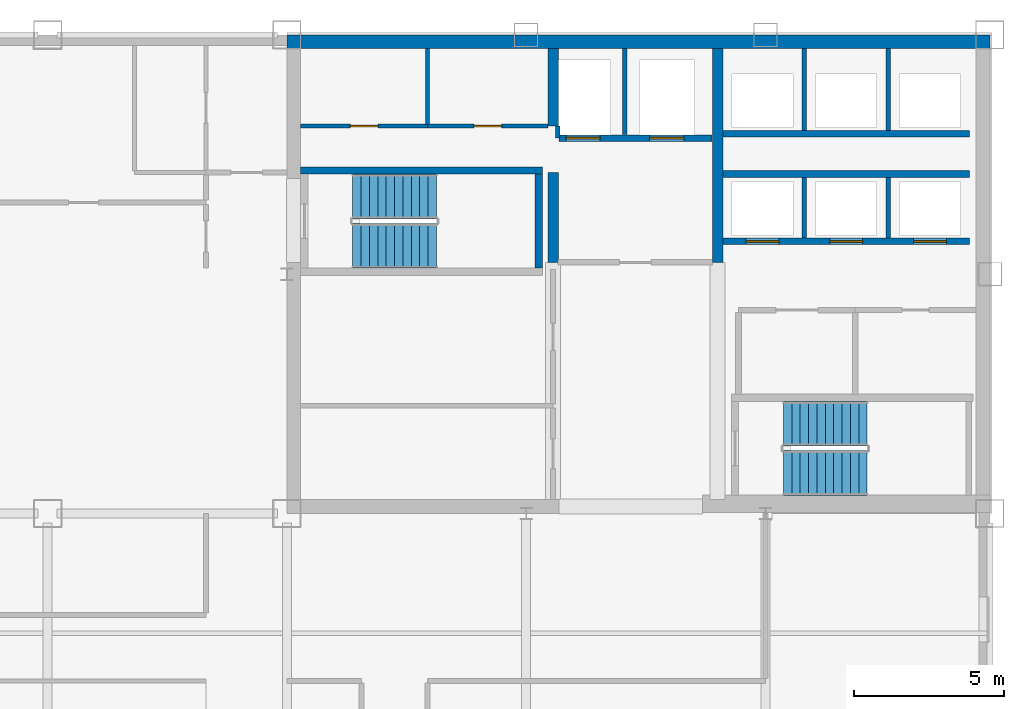
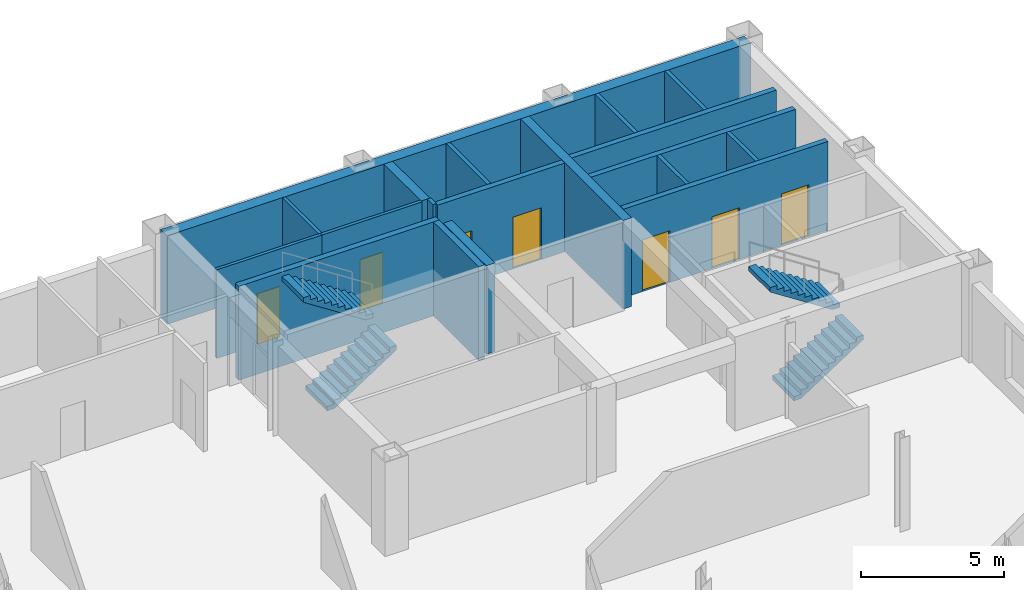
# One storey, part 6 of 10: 19 walls, 7 doors, 4 stair flights, 7 openings, 2 elements without a shape of their own.
"""IFC4 building model written with IfcOpenShell, lengths in metres."""

from ifc_helpers import new_model, si_unit, direction, frame, frame_2d, origin, place, context, subcontext, project, spatial, polyline, rectangle, outline, extrude, material, layer, layer_set, type_object, element, fill, aggregate, save


model = new_model("IFC4")

# Units and contexts
model_context = context("Model", 3, precision=1e-05, world=origin(), true_north=direction((0.0, 1.0)))
body_context = subcontext(model_context, "Body", "Model", "MODEL_VIEW")
ifc_project = project(units=[si_unit("LENGTHUNIT", "METRE"), si_unit("AREAUNIT", "SQUARE_METRE"), si_unit("VOLUMEUNIT", "CUBIC_METRE"), si_unit("PLANEANGLEUNIT", "RADIAN"), si_unit("MASSUNIT", "GRAM", prefix="KILO")], contexts=[model_context])

# Site, building, storey
site_placement = place(None, origin())
site = spatial("IfcSite", under=ifc_project, at=site_placement, CompositionType="ELEMENT")
building_placement = place(site_placement, origin())
building = spatial("IfcBuilding", under=site, at=building_placement, Name="Qianrong Seaharbour Tower", CompositionType="ELEMENT")
storey_placement = place(building_placement, frame((0.0, 0.0, 233.800048828125)))
storey = spatial("IfcBuildingStorey", under=building, at=storey_placement, Name="L56", CompositionType="ELEMENT", Elevation=233.800048828125)

# Walls
ifc_material_1 = material(Name="Concrete C60/75", Category="concrete")
ifc_layer_1 = layer(ifc_material_1, 0.4599609375)
ifc_layer_set_1 = layer_set([ifc_layer_1], Name="Concrete C60/75")
wall_type_1 = type_object("IfcWallType", Name="WALL-CORE-460", PredefinedType="SHEAR", material=ifc_layer_set_1)
wall_1_placement = place(storey_placement, frame((40.5, 51.77001953125, 0.0), z_axis=(0.0, 0.0, 1.0), x_axis=(1.0, 0.0, 0.0)))
element("IfcWall", 1, at=wall_1_placement, inside=storey, type_object=wall_type_1, Name="L56 North Core Shear Wall", PredefinedType="SHEAR", context=body_context, shape_type="SweptSolid", body=[
    extrude(rectangle(XDim=23.5, YDim=0.4599609375, at=frame_2d((11.75, 0.0))), origin(), (0.0, 0.0, 1.0), 3.77490234375),
])
ifc_material_2 = material(Name="Concrete C50/60", Category="concrete")
ifc_layer_2 = layer(ifc_material_2, 0.35009765625)
ifc_layer_set_2 = layer_set([ifc_layer_2], Name="Concrete C50/60")
wall_type_2 = type_object("IfcWallType", Name="WALL-CORE-INT-350", PredefinedType="SHEAR", material=ifc_layer_set_2)
wall_2_placement = place(storey_placement, frame((49.39990234375, 44.39990234375, 0.0), z_axis=(0.0, 0.0, 1.0), x_axis=(0.0, 1.0, 0.0)))
element("IfcWall", 2, at=wall_2_placement, inside=storey, type_object=wall_type_2, Name="L56 Internal Core Shear Wall IW1N1", PredefinedType="SHEAR", context=body_context, shape_type="SweptSolid", body=[
    extrude(rectangle(XDim=3.0, YDim=0.35009765625, at=frame_2d((1.5, 0.0))), origin(), (0.0, 0.0, 1.0), 3.77490234375),
])
wall_3_placement = place(storey_placement, frame((49.39990234375, 48.949951171875, 0.0), z_axis=(0.0, 0.0, 1.0), x_axis=(0.0, 1.0, 0.0)))
element("IfcWall", 3, at=wall_3_placement, inside=storey, type_object=wall_type_2, Name="L56 Internal Core Shear Wall IW1N2", PredefinedType="SHEAR", context=body_context, shape_type="SweptSolid", body=[
    extrude(rectangle(XDim=2.590087890625, YDim=0.35009765625, at=frame_2d((1.294921875, 0.0))), origin(), (0.0, 0.0, 1.0), 3.77490234375),
])
wall_4_placement = place(storey_placement, frame((54.89990234375, 44.39990234375, 0.0), z_axis=(0.0, 0.0, 1.0), x_axis=(0.0, 1.0, 0.0)))
element("IfcWall", 4, at=wall_4_placement, inside=storey, type_object=wall_type_2, Name="L56 Internal Core Shear Wall IW2N", PredefinedType="SHEAR", context=body_context, shape_type="SweptSolid", body=[
    extrude(rectangle(XDim=7.14013671875, YDim=0.35009765625, at=frame_2d((3.570068359375, 0.0))), origin(), (0.0, 0.0, 1.0), 3.77490234375),
])
ifc_material_3 = material(Name="Fire-rated gypsum board on steel studs", Category="steel")
ifc_layer_3 = layer(ifc_material_3, 0.14990234375)
ifc_layer_set_3 = layer_set([ifc_layer_3], Name="Fire-rated gypsum board on steel studs")
wall_type_3 = type_object("IfcWallType", Name="WALL-SHAFT-DIV-150", PredefinedType="PARTITIONING", material=ifc_layer_set_3)
wall_5_placement = place(storey_placement, frame((51.800048828125, 48.669921875, 0.0), z_axis=(0.0, 0.0, 1.0), x_axis=(0.0, 1.0, 0.0)))
element("IfcWall", 5, at=wall_5_placement, inside=storey, type_object=wall_type_3, Name="L56 Firefighting Lift Shaft Divider Wall", PredefinedType="PARTITIONING", context=body_context, shape_type="SweptSolid", body=[
    extrude(rectangle(XDim=2.8701171875, YDim=0.14990234375, at=frame_2d((1.43505859375, 0.0))), origin(), (0.0, 0.0, 1.0), 3.77490234375),
])
wall_6_placement = place(storey_placement, frame((49.550048828125, 48.550048828125, 0.0), z_axis=(0.0, 0.0, 1.0), x_axis=(0.0, 1.0, 0.0)))
element("IfcWall", 6, at=wall_6_placement, inside=storey, type_object=wall_type_3, Name="L56 Firefighting Lift Shaft West Return Wall", PredefinedType="PARTITIONING", context=body_context, shape_type="SweptSolid", body=[
    extrude(rectangle(XDim=0.39990234375, YDim=0.14990234375, at=frame_2d((0.199951171875, 0.0))), origin(), (0.0, 0.0, 1.0), 3.77490234375),
])
for number, where, z_axis, x_axis, name in (
    (7, (57.800048828125, 45.2099609375, 0.0), (0.0, 0.0, 1.0), (0.0, 1.0, 0.0), "L56 P3 Lift Hoistway Divider 2"),
    (8, (60.60009765625, 45.2099609375, 0.0), (0.0, 0.0, 1.0), (0.0, 1.0, 0.0), "L56 P3 Lift Hoistway Divider 3"),
):
    element("IfcWall", number, at=place(storey_placement, frame(where, z_axis=z_axis, x_axis=x_axis)), inside=storey, type_object=wall_type_3, Name=name, PredefinedType="PARTITIONING", context=body_context, shape_type="SweptSolid", body=[
        extrude(rectangle(XDim=2.030029296875, YDim=0.14990234375, at=frame_2d((1.01513671875, 0.0))), origin(), (0.0, 0.0, 1.0), 3.77490234375),
    ])
for number, where, z_axis, x_axis, name in (
    (9, (57.800048828125, 48.81005859375, 0.0), (0.0, 0.0, 1.0), (0.0, 1.0, 0.0), "L56 P4 Lift Hoistway Divider 2"),
    (10, (60.60009765625, 48.81005859375, 0.0), (0.0, 0.0, 1.0), (0.0, 1.0, 0.0), "L56 P4 Lift Hoistway Divider 3"),
):
    element("IfcWall", number, at=place(storey_placement, frame(where, z_axis=z_axis, x_axis=x_axis)), inside=storey, type_object=wall_type_3, Name=name, PredefinedType="PARTITIONING", context=body_context, shape_type="SweptSolid", body=[
        extrude(rectangle(XDim=2.72998046875, YDim=0.14990234375, at=frame_2d((1.364990234375, 0.0))), origin(), (0.0, 0.0, 1.0), 3.77490234375),
    ])

# Wall, openings, doors
ifc_layer_4 = layer(ifc_material_3, 0.219970703125)
ifc_layer_set_4 = layer_set([ifc_layer_4], Name="Fire-rated gypsum board on steel studs")
wall_type_4 = type_object("IfcWallType", Name="WALL-SHAFT-GYP220", PredefinedType="PARTITIONING", material=ifc_layer_set_4)
wall_7_placement = place(storey_placement, frame((54.7099609375, 48.550048828125, 0.0), z_axis=(0.0, 0.0, 1.0), x_axis=(-1.0, 0.0, 0.0)))
wall_7 = element("IfcWall", 11, at=wall_7_placement, inside=storey, type_object=wall_type_4, Name="L56 Firefighting Lift Shaft Front Wall", PredefinedType="PARTITIONING", context=body_context, shape_type="SweptSolid", body=[
    extrude(rectangle(XDim=5.119873046875, YDim=0.219970703125, at=frame_2d((2.56005859375, 0.0))), origin(), (0.0, 0.0, 1.0), 3.77490234375),
])
opening_1_placement = place(wall_7_placement, frame((3.735107421875, 0.0, 0.0)))
opening_1 = element("IfcOpeningElement", 12, at=opening_1_placement, cuts=wall_7, Name="Opening LD-01", PredefinedType="OPENING", context=body_context, shape_type="SweptSolid", body=[
    extrude(rectangle(XDim=1.14990234375, YDim=2.199951171875, at=frame_2d((0.574951171875, 1.10009765625))), frame((0.0, 0.1201171875, 0.0), z_axis=(0.0, -1.0, 0.0), x_axis=(1.0, 0.0, 0.0)), (0.0, 0.0, 1.0), 0.239990234375),
])
opening_2_placement = place(wall_7_placement, frame((0.93505859375, 0.0, 0.0)))
opening_2 = element("IfcOpeningElement", 13, at=opening_2_placement, cuts=wall_7, Name="Opening LD-01", PredefinedType="OPENING", context=body_context, shape_type="SweptSolid", body=[
    extrude(rectangle(XDim=1.14990234375, YDim=2.199951171875, at=frame_2d((0.574951171875, 1.10009765625))), frame((0.0, 0.1201171875, 0.0), z_axis=(0.0, -1.0, 0.0), x_axis=(1.0, 0.0, 0.0)), (0.0, 0.0, 1.0), 0.239990234375),
])
ifc_material_4 = material(Name="Stainless steel SUS316L bi-parting lift landing door", Category="steel")
door_type_1 = type_object("IfcDoorType", Name="DOOR-LIFT-FF-1150x2200", OperationType="DOUBLE_DOOR_SLIDING", PredefinedType="DOOR", material=ifc_material_4)
door_1_placement = place(opening_1_placement, origin())
door_1 = element("IfcDoor", 14, at=door_1_placement, inside=storey, type_object=door_type_1, Name="L56 FL-1 Firefighting Lift Landing Door", OperationType="DOUBLE_DOOR_SLIDING", OverallHeight=2.199951171875, OverallWidth=1.14990234375, PredefinedType="DOOR", context=body_context, shape_type="SweptSolid", body=[
    extrude(rectangle(XDim=1.14990234375, YDim=2.199951171875, at=frame_2d((0.574951171875, 1.10009765625))), frame((0.0, 0.02490234375, 0.0), z_axis=(0.0, -1.0, 0.0), x_axis=(1.0, 0.0, 0.0)), (0.0, 0.0, 1.0), 0.050048828125),
])
fill(opening_1, door_1)
door_2_placement = place(opening_2_placement, origin())
door_2 = element("IfcDoor", 15, at=door_2_placement, inside=storey, type_object=door_type_1, Name="L56 FL-2 Firefighting Lift Landing Door", OperationType="DOUBLE_DOOR_SLIDING", OverallHeight=2.199951171875, OverallWidth=1.14990234375, PredefinedType="DOOR", context=body_context, shape_type="SweptSolid", body=[
    extrude(rectangle(XDim=1.14990234375, YDim=2.199951171875, at=frame_2d((0.574951171875, 1.10009765625))), frame((0.0, 0.02490234375, 0.0), z_axis=(0.0, -1.0, 0.0), x_axis=(1.0, 0.0, 0.0)), (0.0, 0.0, 1.0), 0.050048828125),
])
fill(opening_2, door_2)

wall_8_placement = place(storey_placement, frame((63.320068359375, 45.10009765625, 0.0), z_axis=(0.0, 0.0, 1.0), x_axis=(-1.0, 0.0, 0.0)))
wall_8 = element("IfcWall", 16, at=wall_8_placement, inside=storey, type_object=wall_type_4, Name="L56 P3 Lift Hoistway Front Wall", PredefinedType="PARTITIONING", context=body_context, shape_type="SweptSolid", body=[
    extrude(rectangle(XDim=8.239990234375, YDim=0.219970703125, at=frame_2d((4.1201171875, 0.0))), origin(), (0.0, 0.0, 1.0), 3.77490234375),
])
opening_3_placement = place(wall_8_placement, frame((6.3701171875, 0.0, 0.0)))
opening_3 = element("IfcOpeningElement", 17, at=opening_3_placement, cuts=wall_8, Name="Opening LD-02", PredefinedType="OPENING", context=body_context, shape_type="SweptSolid", body=[
    extrude(rectangle(XDim=1.10009765625, YDim=2.199951171875, at=frame_2d((0.550048828125, 1.10009765625))), frame((0.0, 0.1201171875, 0.0), z_axis=(0.0, -1.0, 0.0), x_axis=(1.0, 0.0, 0.0)), (0.0, 0.0, 1.0), 0.239990234375),
])
opening_4_placement = place(wall_8_placement, frame((3.570068359375, 0.0, 0.0)))
opening_4 = element("IfcOpeningElement", 18, at=opening_4_placement, cuts=wall_8, Name="Opening LD-02", PredefinedType="OPENING", context=body_context, shape_type="SweptSolid", body=[
    extrude(rectangle(XDim=1.10009765625, YDim=2.199951171875, at=frame_2d((0.550048828125, 1.10009765625))), frame((0.0, 0.1201171875, 0.0), z_axis=(0.0, -1.0, 0.0), x_axis=(1.0, 0.0, 0.0)), (0.0, 0.0, 1.0), 0.239990234375),
])
opening_5_placement = place(wall_8_placement, frame((0.77001953125, 0.0, 0.0)))
opening_5 = element("IfcOpeningElement", 19, at=opening_5_placement, cuts=wall_8, Name="Opening LD-02", PredefinedType="OPENING", context=body_context, shape_type="SweptSolid", body=[
    extrude(rectangle(XDim=1.10009765625, YDim=2.199951171875, at=frame_2d((0.550048828125, 1.10009765625))), frame((0.0, 0.1201171875, 0.0), z_axis=(0.0, -1.0, 0.0), x_axis=(1.0, 0.0, 0.0)), (0.0, 0.0, 1.0), 0.239990234375),
])
door_type_2 = type_object("IfcDoorType", Name="DOOR-LIFT-PASS-1100x2200", OperationType="DOUBLE_DOOR_SLIDING", PredefinedType="DOOR", material=ifc_material_4)
door_3_placement = place(opening_3_placement, origin())
door_3 = element("IfcDoor", 20, at=door_3_placement, inside=storey, type_object=door_type_2, Name="L56 PL-3A Lift Landing Door", OperationType="DOUBLE_DOOR_SLIDING", OverallHeight=2.199951171875, OverallWidth=1.10009765625, PredefinedType="DOOR", context=body_context, shape_type="SweptSolid", body=[
    extrude(rectangle(XDim=1.10009765625, YDim=2.199951171875, at=frame_2d((0.550048828125, 1.10009765625))), frame((0.0, 0.02490234375, 0.0), z_axis=(0.0, -1.0, 0.0), x_axis=(1.0, 0.0, 0.0)), (0.0, 0.0, 1.0), 0.050048828125),
])
fill(opening_3, door_3)
door_4_placement = place(opening_4_placement, origin())
door_4 = element("IfcDoor", 21, at=door_4_placement, inside=storey, type_object=door_type_2, Name="L56 PL-3B Lift Landing Door", OperationType="DOUBLE_DOOR_SLIDING", OverallHeight=2.199951171875, OverallWidth=1.10009765625, PredefinedType="DOOR", context=body_context, shape_type="SweptSolid", body=[
    extrude(rectangle(XDim=1.10009765625, YDim=2.199951171875, at=frame_2d((0.550048828125, 1.10009765625))), frame((0.0, 0.02490234375, 0.0), z_axis=(0.0, -1.0, 0.0), x_axis=(1.0, 0.0, 0.0)), (0.0, 0.0, 1.0), 0.050048828125),
])
fill(opening_4, door_4)
door_5_placement = place(opening_5_placement, origin())
door_5 = element("IfcDoor", 22, at=door_5_placement, inside=storey, type_object=door_type_2, Name="L56 PL-3C Lift Landing Door", OperationType="DOUBLE_DOOR_SLIDING", OverallHeight=2.199951171875, OverallWidth=1.10009765625, PredefinedType="DOOR", context=body_context, shape_type="SweptSolid", body=[
    extrude(rectangle(XDim=1.10009765625, YDim=2.199951171875, at=frame_2d((0.550048828125, 1.10009765625))), frame((0.0, 0.02490234375, 0.0), z_axis=(0.0, -1.0, 0.0), x_axis=(1.0, 0.0, 0.0)), (0.0, 0.0, 1.0), 0.050048828125),
])
fill(opening_5, door_5)

# Walls
for number, where, z_axis, x_axis, name in (
    (23, (55.080078125, 47.35009765625, 0.0), (0.0, 0.0, 1.0), (1.0, 0.0, 0.0), "L56 P3 Lift Hoistway Back Wall"),
    (24, (63.320068359375, 48.699951171875, 0.0), (0.0, 0.0, 1.0), (-1.0, 0.0, 0.0), "L56 P4 Lift Hoistway Front Wall"),
):
    element("IfcWall", number, at=place(storey_placement, frame(where, z_axis=z_axis, x_axis=x_axis)), inside=storey, type_object=wall_type_4, Name=name, PredefinedType="PARTITIONING", context=body_context, shape_type="SweptSolid", body=[
        extrude(rectangle(XDim=8.239990234375, YDim=0.219970703125, at=frame_2d((4.1201171875, 0.0))), origin(), (0.0, 0.0, 1.0), 3.77490234375),
    ])
ifc_layer_5 = layer(ifc_material_2, 0.239990234375)
ifc_layer_set_5 = layer_set([ifc_layer_5], Name="Concrete C50/60")
wall_type_5 = type_object("IfcWallType", Name="WALL-SHAFT-RC240", PredefinedType="SOLIDWALL", material=ifc_layer_set_5)
wall_9_placement = place(storey_placement, frame((40.9599609375, 47.469970703125, 0.0), z_axis=(0.0, 0.0, 1.0), x_axis=(1.0, 0.0, 0.0)))
element("IfcWall", 25, at=wall_9_placement, inside=storey, type_object=wall_type_5, Name="L56 ST-1 Structural Stair Core Wall N", PredefinedType="SOLIDWALL", context=body_context, shape_type="SweptSolid", body=[
    extrude(rectangle(XDim=8.080078125, YDim=0.239990234375, at=frame_2d((4.0400390625, 0.0))), origin(), (0.0, 0.0, 1.0), 4.0),
])
wall_10_placement = place(storey_placement, frame((48.919921875, 44.199951171875, 0.0), z_axis=(0.0, 0.0, 1.0), x_axis=(0.0, 1.0, 0.0)))
element("IfcWall", 26, at=wall_10_placement, inside=storey, type_object=wall_type_5, Name="L56 ST-1 Structural Stair Core Wall E", PredefinedType="SOLIDWALL", context=body_context, shape_type="SweptSolid", body=[
    extrude(rectangle(XDim=3.150146484375, YDim=0.239990234375, at=frame_2d((1.5751953125, 0.0))), origin(), (0.0, 0.0, 1.0), 4.0),
])

# Wall, opening, door
ifc_material_5 = material(Name="Water-resistant cement board sanitary partition")
ifc_layer_6 = layer(ifc_material_5, 0.1298828125)
ifc_layer_set_6 = layer_set([ifc_layer_6], Name="Water-resistant cement board sanitary partition")
wall_type_6 = type_object("IfcWallType", Name="WALL-WET-PART-130", PredefinedType="PARTITIONING", material=ifc_layer_set_6)
wall_11_placement = place(storey_placement, frame((40.9599609375, 48.949951171875, 0.0), z_axis=(0.0, 0.0, 1.0), x_axis=(1.0, 0.0, 0.0)))
wall_11 = element("IfcWall", 27, at=wall_11_placement, inside=storey, type_object=wall_type_6, Name="L56 Interior Partition Wall 007", PredefinedType="PARTITIONING", context=body_context, shape_type="SweptSolid", body=[
    extrude(rectangle(XDim=4.239990234375, YDim=0.1298828125, at=frame_2d((2.1201171875, 0.0))), origin(), (0.0, 0.0, 1.0), 3.77490234375),
])
opening_6_placement = place(wall_11_placement, frame((1.659912109375, 0.0, 0.0)))
opening_6 = element("IfcOpeningElement", 28, at=opening_6_placement, cuts=wall_11, Name="Opening DW-01", PredefinedType="OPENING", context=body_context, shape_type="SweptSolid", body=[
    extrude(rectangle(XDim=0.919921875, YDim=2.14990234375, at=frame_2d((0.4599609375, 1.074951171875))), frame((0.0, 0.074951171875, 0.0), z_axis=(0.0, -1.0, 0.0), x_axis=(1.0, 0.0, 0.0)), (0.0, 0.0, 1.0), 0.14990234375),
])
ifc_material_6 = material(Name="Acoustic timber and galvanized steel fire door assembly", Category="steel")
door_type_3 = type_object("IfcDoorType", Name="DOOR-WC-920x2150", OperationType="NOTDEFINED", PredefinedType="DOOR", material=ifc_material_6)
door_6_placement = place(opening_6_placement, origin())
door_6 = element("IfcDoor", 29, at=door_6_placement, inside=storey, type_object=door_type_3, Name="L56 Male Restroom WC Door", OperationType="SINGLE_SWING_RIGHT", OverallHeight=2.14990234375, OverallWidth=0.919921875, PredefinedType="DOOR", context=body_context, shape_type="SweptSolid", body=[
    extrude(rectangle(XDim=0.919921875, YDim=2.14990234375, at=frame_2d((0.4599609375, 1.074951171875))), frame((0.0, 0.02490234375, 0.0), z_axis=(0.0, -1.0, 0.0), x_axis=(1.0, 0.0, 0.0)), (0.0, 0.0, 1.0), 0.050048828125),
])
fill(opening_6, door_6)

wall_12_placement = place(storey_placement, frame((45.199951171875, 48.949951171875, 0.0), z_axis=(0.0, 0.0, 1.0), x_axis=(1.0, 0.0, 0.0)))
wall_12 = element("IfcWall", 30, at=wall_12_placement, inside=storey, type_object=wall_type_6, Name="L56 Interior Partition Wall 008", PredefinedType="PARTITIONING", context=body_context, shape_type="SweptSolid", body=[
    extrude(rectangle(XDim=4.032958984375, YDim=0.1298828125, at=frame_2d((2.0166015625, 0.0))), origin(), (0.0, 0.0, 1.0), 3.77490234375),
])
opening_7_placement = place(wall_12_placement, frame((1.556396484375, 0.0, 0.0)))
opening_7 = element("IfcOpeningElement", 31, at=opening_7_placement, cuts=wall_12, Name="Opening DW-01", PredefinedType="OPENING", context=body_context, shape_type="SweptSolid", body=[
    extrude(rectangle(XDim=0.919921875, YDim=2.14990234375, at=frame_2d((0.4599609375, 1.074951171875))), frame((0.0, 0.074951171875, 0.0), z_axis=(0.0, -1.0, 0.0), x_axis=(1.0, 0.0, 0.0)), (0.0, 0.0, 1.0), 0.14990234375),
])
door_7_placement = place(opening_7_placement, origin())
door_7 = element("IfcDoor", 32, at=door_7_placement, inside=storey, type_object=door_type_3, Name="L56 Female Restroom WC Door", OperationType="SINGLE_SWING_LEFT", OverallHeight=2.14990234375, OverallWidth=0.919921875, PredefinedType="DOOR", context=body_context, shape_type="SweptSolid", body=[
    extrude(rectangle(XDim=0.919921875, YDim=2.14990234375, at=frame_2d((0.4599609375, 1.074951171875))), frame((0.0, 0.02490234375, 0.0), z_axis=(0.0, -1.0, 0.0), x_axis=(1.0, 0.0, 0.0)), (0.0, 0.0, 1.0), 0.050048828125),
])
fill(opening_7, door_7)

# Wall
wall_13_placement = place(storey_placement, frame((45.199951171875, 51.5400390625, 0.0), z_axis=(0.0, 0.0, 1.0), x_axis=(0.0, -1.0, 0.0)))
element("IfcWall", 33, at=wall_13_placement, inside=storey, type_object=wall_type_6, Name="L56 Interior Partition Wall 016", PredefinedType="PARTITIONING", context=body_context, shape_type="SweptSolid", body=[
    extrude(rectangle(XDim=2.532958984375, YDim=0.1298828125, at=frame_2d((1.2666015625, 0.0))), origin(), (0.0, 0.0, 1.0), 3.77490234375),
])

# Stair, stair flights
stair_type = type_object("IfcStairType", Name="STAIR-DOGLEG-1500-R22", PredefinedType="HALF_TURN_STAIR", material=ifc_material_2)
stair_1_placement = place(storey_placement, origin())
stair_1 = element("IfcStair", 34, at=stair_1_placement, inside=storey, type_object=stair_type, Name="L56 Protected Escape Stair ST-1", PredefinedType="HALF_TURN_STAIR")
stair_flight_type = type_object("IfcStairFlightType", Name="FLIGHT-STR-1500-R22", PredefinedType="STRAIGHT", material=ifc_material_2)
stair_flight_1_placement = place(storey_placement, frame((42.699951171875, 44.949951171875, 0.0), z_axis=(0.0, 0.0, 1.0), x_axis=(1.0, 0.0, 0.0)))
stair_flight_1 = element("IfcStairFlight", 35, at=stair_flight_1_placement, type_object=stair_flight_type, Name="ST-1 flight 1", NumberOfRisers=11, NumberOfTreads=10, PredefinedType="STRAIGHT", RiserHeight=0.181818182, TreadLength=0.28, context=body_context, shape_type="SweptSolid", body=[
    extrude(outline(polyline([(0.0, 0.0), (0.0, 0.181884765625), (0.280029296875, 0.181884765625), (0.280029296875, 0.363525390625), (0.56005859375, 0.363525390625), (0.56005859375, 0.54541015625), (0.840087890625, 0.54541015625), (0.840087890625, 0.727294921875), (1.1201171875, 0.727294921875), (1.1201171875, 0.9091796875), (1.39990234375, 0.9091796875), (1.39990234375, 1.0908203125), (1.679931640625, 1.0908203125), (1.679931640625, 1.272705078125), (1.9599609375, 1.272705078125), (1.9599609375, 1.45458984375), (2.239990234375, 1.45458984375), (2.239990234375, 1.636474609375), (2.52001953125, 1.636474609375), (2.52001953125, 1.818115234375), (2.800048828125, 1.818115234375), (2.800048828125, 2.0), (2.800048828125, 1.62744140625), (0.293701171875, 0.0), (0.0, 0.0)])), frame((0.0, 0.75, 0.0), z_axis=(0.0, -1.0, 0.0), x_axis=(1.0, 0.0, 0.0)), (0.0, 0.0, 1.0), 1.5),
])
stair_flight_2_placement = place(storey_placement, frame((45.5, 46.60009765625, 2.0), z_axis=(0.0, 0.0, 1.0), x_axis=(-1.0, 0.0, 0.0)))
stair_flight_2 = element("IfcStairFlight", 36, at=stair_flight_2_placement, type_object=stair_flight_type, Name="ST-1 flight 2", NumberOfRisers=11, NumberOfTreads=10, PredefinedType="STRAIGHT", RiserHeight=0.181818182, TreadLength=0.28, context=body_context, shape_type="SweptSolid", body=[
    extrude(outline(polyline([(0.0, 0.0), (0.0, 0.181884765625), (0.280029296875, 0.181884765625), (0.280029296875, 0.363525390625), (0.56005859375, 0.363525390625), (0.56005859375, 0.54541015625), (0.840087890625, 0.54541015625), (0.840087890625, 0.727294921875), (1.1201171875, 0.727294921875), (1.1201171875, 0.9091796875), (1.39990234375, 0.9091796875), (1.39990234375, 1.0908203125), (1.679931640625, 1.0908203125), (1.679931640625, 1.272705078125), (1.9599609375, 1.272705078125), (1.9599609375, 1.45458984375), (2.239990234375, 1.45458984375), (2.239990234375, 1.636474609375), (2.52001953125, 1.636474609375), (2.52001953125, 1.818115234375), (2.800048828125, 1.818115234375), (2.800048828125, 2.0), (2.800048828125, 1.62744140625), (0.293701171875, 0.0), (0.0, 0.0)])), frame((0.0, 0.75, 0.0), z_axis=(0.0, -1.0, 0.0), x_axis=(1.0, 0.0, 0.0)), (0.0, 0.0, 1.0), 1.5),
])
aggregate(stair_1, [stair_flight_1, stair_flight_2])

stair_2_placement = place(storey_placement, origin())
stair_2 = element("IfcStair", 37, at=stair_2_placement, inside=storey, type_object=stair_type, Name="L56 Protected Escape Stair ST-2", PredefinedType="HALF_TURN_STAIR")
stair_flight_3_placement = place(storey_placement, frame((57.10009765625, 37.35009765625, 0.0), z_axis=(0.0, 0.0, 1.0), x_axis=(1.0, 0.0, 0.0)))
stair_flight_3 = element("IfcStairFlight", 38, at=stair_flight_3_placement, type_object=stair_flight_type, Name="ST-2 flight 1", NumberOfRisers=11, NumberOfTreads=10, PredefinedType="STRAIGHT", RiserHeight=0.181818182, TreadLength=0.28, context=body_context, shape_type="SweptSolid", body=[
    extrude(outline(polyline([(0.0, 0.0), (0.0, 0.181884765625), (0.280029296875, 0.181884765625), (0.280029296875, 0.363525390625), (0.56005859375, 0.363525390625), (0.56005859375, 0.54541015625), (0.840087890625, 0.54541015625), (0.840087890625, 0.727294921875), (1.1201171875, 0.727294921875), (1.1201171875, 0.9091796875), (1.39990234375, 0.9091796875), (1.39990234375, 1.0908203125), (1.679931640625, 1.0908203125), (1.679931640625, 1.272705078125), (1.9599609375, 1.272705078125), (1.9599609375, 1.45458984375), (2.239990234375, 1.45458984375), (2.239990234375, 1.636474609375), (2.52001953125, 1.636474609375), (2.52001953125, 1.818115234375), (2.800048828125, 1.818115234375), (2.800048828125, 2.0), (2.800048828125, 1.62744140625), (0.293701171875, 0.0), (0.0, 0.0)])), frame((0.0, 0.75, 0.0), z_axis=(0.0, -1.0, 0.0), x_axis=(1.0, 0.0, 0.0)), (0.0, 0.0, 1.0), 1.5),
])
stair_flight_4_placement = place(storey_placement, frame((59.89990234375, 39.0, 2.0), z_axis=(0.0, 0.0, 1.0), x_axis=(-1.0, 0.0, 0.0)))
stair_flight_4 = element("IfcStairFlight", 39, at=stair_flight_4_placement, type_object=stair_flight_type, Name="ST-2 flight 2", NumberOfRisers=11, NumberOfTreads=10, PredefinedType="STRAIGHT", RiserHeight=0.181818182, TreadLength=0.28, context=body_context, shape_type="SweptSolid", body=[
    extrude(outline(polyline([(0.0, 0.0), (0.0, 0.181884765625), (0.280029296875, 0.181884765625), (0.280029296875, 0.363525390625), (0.56005859375, 0.363525390625), (0.56005859375, 0.54541015625), (0.840087890625, 0.54541015625), (0.840087890625, 0.727294921875), (1.1201171875, 0.727294921875), (1.1201171875, 0.9091796875), (1.39990234375, 0.9091796875), (1.39990234375, 1.0908203125), (1.679931640625, 1.0908203125), (1.679931640625, 1.272705078125), (1.9599609375, 1.272705078125), (1.9599609375, 1.45458984375), (2.239990234375, 1.45458984375), (2.239990234375, 1.636474609375), (2.52001953125, 1.636474609375), (2.52001953125, 1.818115234375), (2.800048828125, 1.818115234375), (2.800048828125, 2.0), (2.800048828125, 1.62744140625), (0.293701171875, 0.0), (0.0, 0.0)])), frame((0.0, 0.75, 0.0), z_axis=(0.0, -1.0, 0.0), x_axis=(1.0, 0.0, 0.0)), (0.0, 0.0, 1.0), 1.5),
])
aggregate(stair_2, [stair_flight_3, stair_flight_4])

save(model, "model.ifc")
